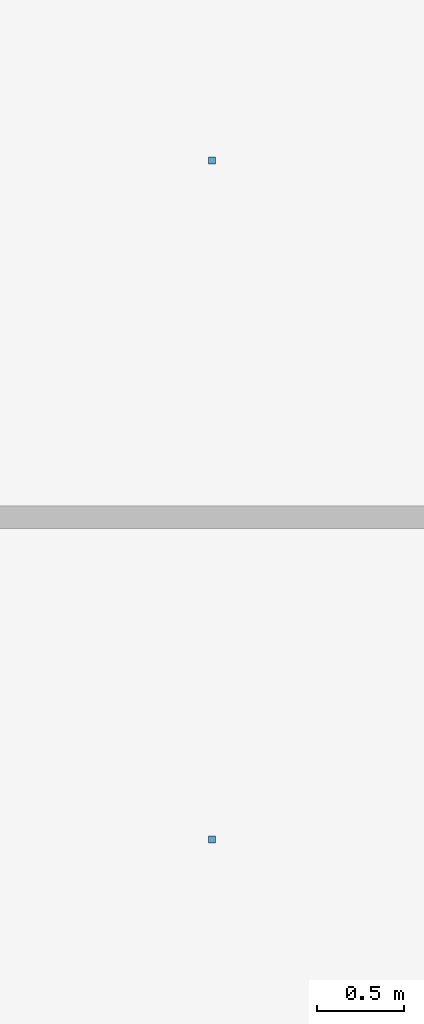
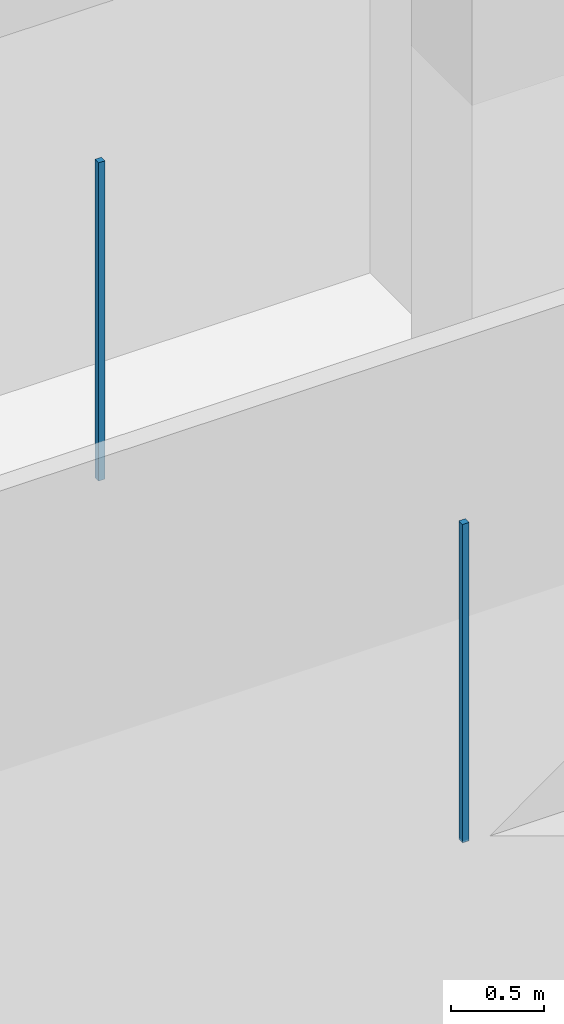
# One storey, part 127 of 167: 2 discrete accessories.
"""IFC4 building model written with IfcOpenShell, lengths in metres."""

from ifc_helpers import new_model, si_unit, direction, frame, origin, origin_2d, place, context, subcontext, project, spatial, rectangle, extrude, material, type_object, element, save


model = new_model("IFC4")

# Units and contexts
model_context = context("Model", 3, precision=1e-05, world=origin(), true_north=direction((0.0, 1.0)))
body_context = subcontext(model_context, "Body", "Model", "MODEL_VIEW")
ifc_project = project(units=[si_unit("LENGTHUNIT", "METRE"), si_unit("AREAUNIT", "SQUARE_METRE"), si_unit("VOLUMEUNIT", "CUBIC_METRE"), si_unit("PLANEANGLEUNIT", "RADIAN"), si_unit("MASSUNIT", "GRAM", prefix="KILO")], contexts=[model_context])

# Site, building, storey
site_placement = place(None, origin())
site = spatial("IfcSite", under=ifc_project, at=site_placement, CompositionType="ELEMENT")
building_placement = place(site_placement, origin())
building = spatial("IfcBuilding", under=site, at=building_placement, Name="Varncliffe General Hospital", CompositionType="ELEMENT")
storey_placement = place(building_placement, origin())
storey = spatial("IfcBuildingStorey", under=building, at=storey_placement, Name="L00", CompositionType="ELEMENT", Elevation=0.0)

# Discrete accessories
ifc_material = material(Name="Powder-coated hospital steel guardrail and handrail", Category="steel")
discrete_accessory_type = type_object("IfcDiscreteAccessoryType", Name="Suspended Ceiling Hanger Bracket CH01", PredefinedType="BRACKET", material=ifc_material)
for number, where, z_axis, x_axis, name in (
    (1, (155.800048828125, 51.342529296875, 3.18994140625), (0.0, 0.0, 1.0), (1.0, 0.0, 0.0), "L00 Suspended Ceiling Hanger 65"),
    (2, (155.800048828125, 55.257568359375, 3.18994140625), (0.0, 0.0, 1.0), (1.0, 0.0, 0.0), "L00 Suspended Ceiling Hanger 66"),
):
    element("IfcDiscreteAccessory", number, at=place(storey_placement, frame(where, z_axis=z_axis, x_axis=x_axis)), inside=storey, type_object=discrete_accessory_type, Name=name, PredefinedType="BRACKET", context=body_context, shape_type="SweptSolid", body=[
        extrude(rectangle(XDim=0.0400390625, YDim=0.0400390625, at=origin_2d()), origin(), (0.0, 0.0, 1.0), 2.090087890625),
    ])

save(model, "model.ifc")
